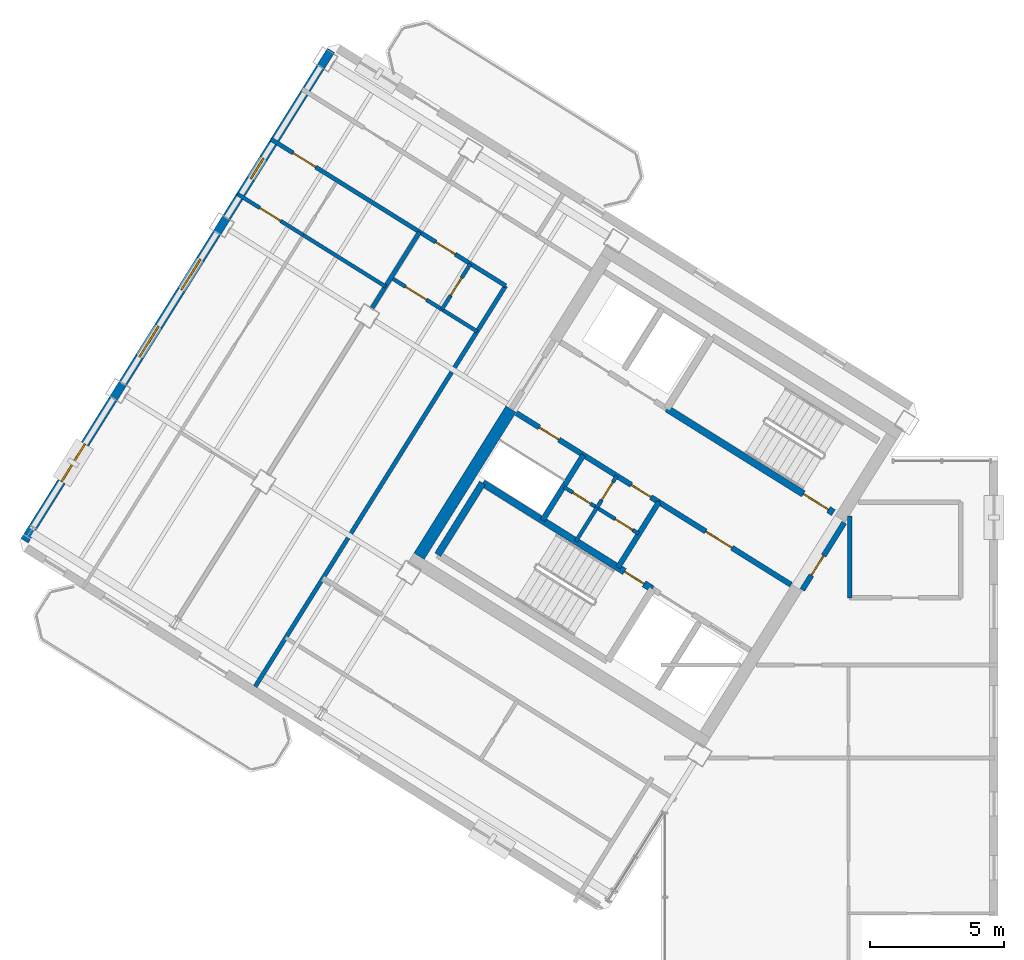
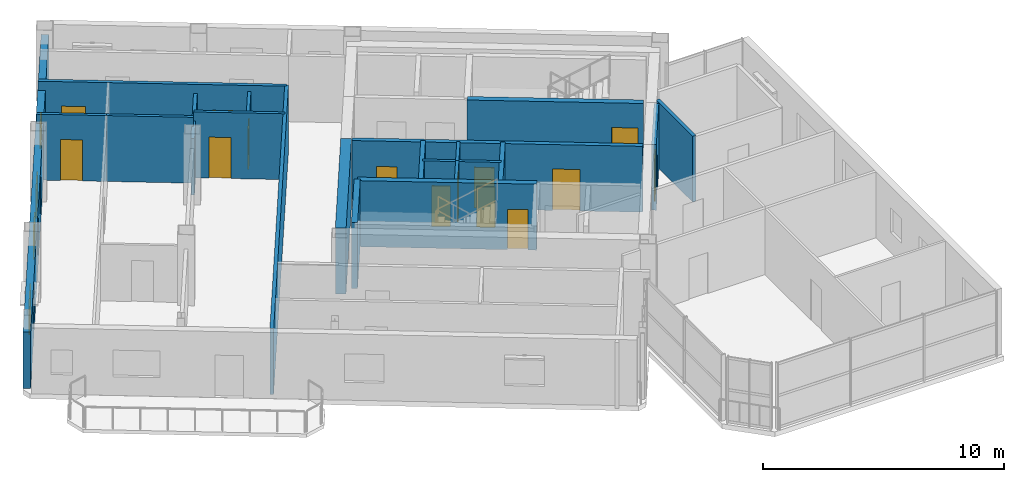
# One storey, part 8 of 12: 21 walls, 14 doors, 4 windows, 18 openings.
"""IFC4 building model written with IfcOpenShell, lengths in metres."""

from ifc_helpers import new_model, si_unit, direction, frame, frame_2d, origin, place, context, subcontext, project, spatial, rectangle, extrude, source, transform, mapped, material, layer, layer_set, type_object, element, fill, save


model = new_model("IFC4")

# Units and contexts
model_context = context("Model", 3, precision=1e-05, world=origin(), true_north=direction((0.0, 1.0)))
body_context = subcontext(model_context, "Body", "Model", "MODEL_VIEW")
ifc_project = project(units=[si_unit("LENGTHUNIT", "METRE"), si_unit("AREAUNIT", "SQUARE_METRE"), si_unit("VOLUMEUNIT", "CUBIC_METRE"), si_unit("PLANEANGLEUNIT", "RADIAN"), si_unit("MASSUNIT", "GRAM", prefix="KILO")], contexts=[model_context])

# Site, building, storey
site_placement = place(None, origin())
site = spatial("IfcSite", under=ifc_project, at=site_placement, CompositionType="ELEMENT")
building_placement = place(site_placement, origin())
building = spatial("IfcBuilding", under=site, at=building_placement, Name="Tlacorven Tower", CompositionType="ELEMENT")
storey_placement = place(building_placement, frame((0.0, 0.0, 288.0)))
storey = spatial("IfcBuildingStorey", under=building, at=storey_placement, Name="L73", CompositionType="ELEMENT", Elevation=288.0)

# Walls
ifc_material_1 = material(Name="Concrete C50/60", Category="concrete")
ifc_layer_1 = layer(ifc_material_1, 0.449951171875)
ifc_layer_set_1 = layer_set([ifc_layer_1], Name="Concrete C50/60")
wall_type_1 = type_object("IfcWallType", Name="WL-COR-450", PredefinedType="SHEAR", material=ifc_layer_set_1)
wall_1_placement = place(storey_placement, frame((26.006591796875, 24.975830078125, 0.0), z_axis=(0.0, 0.0, 1.0), x_axis=(-0.529931155655, -0.848040665456, 0.0)))
element("IfcWall", 1, at=wall_1_placement, inside=storey, type_object=wall_type_1, Name="L73 W core end wall E2.2", PredefinedType="SHEAR", context=body_context, shape_type="SweptSolid", body=[
    extrude(rectangle(XDim=6.47509765625, YDim=0.449951171875, at=frame_2d((3.237548828125, 0.0))), origin(), (0.0, 0.0, 1.0), 3.35009765625),
])
ifc_material_2 = material(Name="Gypsum plasterboard acoustic partition", Category="gypsum")
ifc_layer_2 = layer(ifc_material_2, 0.159912109375)
ifc_layer_set_2 = layer_set([ifc_layer_2], Name="Gypsum plasterboard acoustic partition")
wall_type_2 = type_object("IfcWallType", Name="WL-DEM-160", PredefinedType="PARTITIONING", material=ifc_layer_set_2)
wall_2_placement = place(storey_placement, frame((25.806884765625, 29.58154296875, 0.0), z_axis=(0.0, 0.0, 1.0), x_axis=(-0.529918119251, -0.84804881162, 0.0)))
element("IfcWall", 2, at=wall_2_placement, inside=storey, type_object=wall_type_2, Name="L73 partition 25", PredefinedType="PARTITIONING", context=body_context, shape_type="SweptSolid", body=[
    extrude(rectangle(XDim=17.64990234375, YDim=0.159912109375, at=frame_2d((8.824951171875, 0.0))), origin(), (0.0, 0.0, 1.0), 3.340087890625),
])

# Wall, openings, doors
wall_3_placement = place(storey_placement, frame((25.806884765625, 29.58154296875, 0.0), z_axis=(0.0, 0.0, 1.0), x_axis=(-0.848060702647, 0.529899089097, 0.0)))
wall_3 = element("IfcWall", 3, at=wall_3_placement, inside=storey, type_object=wall_type_2, Name="L73 Wing W Corridor North Wall", PredefinedType="PARTITIONING", context=body_context, shape_type="SweptSolid", body=[
    extrude(rectangle(XDim=10.330078125, YDim=0.159912109375, at=frame_2d((5.1650390625, 0.0))), origin(), (0.0, 0.0, 1.0), 3.340087890625),
])
opening_1_placement = place(wall_3_placement, frame((2.219970703125, 0.0, 0.0)))
opening_1 = element("IfcOpeningElement", 4, at=opening_1_placement, cuts=wall_3, Name="Opening D19", PredefinedType="OPENING", context=body_context, shape_type="SweptSolid", body=[
    extrude(rectangle(XDim=0.860107421875, YDim=2.050048828125, at=frame_2d((0.43017578125, 1.02490234375))), frame((0.0, 0.08984375, 0.0), z_axis=(0.0, -1.0, 0.0), x_axis=(1.0, 0.0, 0.0)), (0.0, 0.0, 1.0), 0.179931640625),
])
opening_2_placement = place(wall_3_placement, frame((8.360107421875, 0.0, 0.0)))
opening_2 = element("IfcOpeningElement", 5, at=opening_2_placement, cuts=wall_3, Name="Opening D11", PredefinedType="OPENING", context=body_context, shape_type="SweptSolid", body=[
    extrude(rectangle(XDim=1.0, YDim=2.10009765625, at=frame_2d((0.5, 1.050048828125))), frame((0.0, 0.08984375, 0.0), z_axis=(0.0, -1.0, 0.0), x_axis=(1.0, 0.0, 0.0)), (0.0, 0.0, 1.0), 0.179931640625),
])
ifc_material_3 = material(Name="Fire-rated steel door assembly", Category="steel")
door_type_1 = type_object("IfcDoorType", Name="DR-RSR-FD60-0860", OperationType="NOTDEFINED", PredefinedType="DOOR", material=ifc_material_3)
shared_shape_1 = source(origin(), body_context, "Body", "SweptSolid", [
    extrude(rectangle(XDim=0.860107421875, YDim=2.050048828125, at=frame_2d((0.43017578125, 1.02490234375))), frame((0.0, 0.02490234375, 0.0), z_axis=(0.0, -1.0, 0.0), x_axis=(1.0, 0.0, 0.0)), (0.0, 0.0, 1.0), 0.050048828125),
])
door_1_placement = place(opening_1_placement, origin())
door_1 = element("IfcDoor", 6, at=door_1_placement, inside=storey, type_object=door_type_1, Name="L73 door 014", OperationType="SINGLE_SWING_LEFT", OverallHeight=2.050048828125, OverallWidth=0.860107421875, PredefinedType="DOOR", context=body_context, shape_type="MappedRepresentation", body=[
    mapped(shared_shape_1, transform((0.0, 0.0, 0.0), scale=1.0)),
])
fill(opening_1, door_1)
door_type_2 = type_object("IfcDoorType", Name="DR-FLT-FD60-1000", OperationType="NOTDEFINED", PredefinedType="DOOR", material=ifc_material_3)
shared_shape_2 = source(origin(), body_context, "Body", "SweptSolid", [
    extrude(rectangle(XDim=1.0, YDim=2.10009765625, at=frame_2d((0.5, 1.050048828125))), frame((0.0, 0.02490234375, 0.0), z_axis=(0.0, -1.0, 0.0), x_axis=(1.0, 0.0, 0.0)), (0.0, 0.0, 1.0), 0.050048828125),
])
door_2_placement = place(opening_2_placement, origin())
door_2 = element("IfcDoor", 7, at=door_2_placement, inside=storey, type_object=door_type_2, Name="L73 door 018", OperationType="SINGLE_SWING_LEFT", OverallHeight=2.10009765625, OverallWidth=1.0, PredefinedType="DOOR", context=body_context, shape_type="MappedRepresentation", body=[
    mapped(shared_shape_2, transform((0.0, 0.0, 0.0), scale=1.0)),
])
fill(opening_2, door_2)

# Walls
wall_4_placement = place(storey_placement, frame((22.5927734375, 31.58984375, 0.0), z_axis=(0.0, 0.0, 1.0), x_axis=(-0.529900320499, -0.848059933221, 0.0)))
element("IfcWall", 8, at=wall_4_placement, inside=storey, type_object=wall_type_2, Name="L73 WN Demising Wall 1", PredefinedType="PARTITIONING", context=body_context, shape_type="SweptSolid", body=[
    extrude(rectangle(XDim=3.337890625, YDim=0.159912109375, at=frame_2d((1.6689453125, 0.0))), origin(), (0.0, 0.0, 1.0), 2.875),
])
wall_5_placement = place(storey_placement, frame((38.64990234375, 17.929931640625, 0.0), z_axis=(0.0, 0.0, 1.0), x_axis=(0.0, 1.0, 0.0)))
element("IfcWall", 9, at=wall_5_placement, inside=storey, type_object=wall_type_2, Name="L73 partition 44", PredefinedType="PARTITIONING", context=body_context, shape_type="SweptSolid", body=[
    extrude(rectangle(XDim=3.045654296875, YDim=0.159912109375, at=frame_2d((1.52294921875, 0.0))), origin(), (0.0, 0.0, 1.0), 3.340087890625),
])

# Wall, openings, windows
ifc_material_4 = material(Name="Precast concrete C45/55", Category="concrete")
ifc_layer_3 = layer(ifc_material_4, 0.320068359375)
ifc_layer_set_3 = layer_set([ifc_layer_3], Name="Precast concrete C45/55")
wall_type_3 = type_object("IfcWallType", Name="WL-EXT-320", PredefinedType="STANDARD", material=ifc_layer_set_3)
wall_6_placement = place(storey_placement, frame((7.842041015625, 20.06103515625, 0.0), z_axis=(0.0, 0.0, 1.0), x_axis=(0.529915577903, 0.84805039962, 0.0)))
wall_6 = element("IfcWall", 10, at=wall_6_placement, inside=storey, type_object=wall_type_3, Name="L73 Masonry-Frame Recessed Facade Wall 3", PredefinedType="STANDARD", context=body_context, shape_type="SweptSolid", body=[
    extrude(rectangle(XDim=21.58740234375, YDim=0.320068359375, at=frame_2d((10.793701171875, 0.0))), origin(), (0.0, 0.0, 1.0), 2.875),
])
opening_3_placement = place(wall_6_placement, frame((2.606201171875, 0.0, 0.89990234375)))
opening_3 = element("IfcOpeningElement", 11, at=opening_3_placement, cuts=wall_6, Name="Opening WN07", PredefinedType="OPENING", context=body_context, shape_type="SweptSolid", body=[
    extrude(rectangle(XDim=1.64990234375, YDim=1.449951171875, at=frame_2d((0.824951171875, 0.72509765625))), frame((0.0, 0.169921875, 0.0), z_axis=(0.0, -1.0, 0.0), x_axis=(1.0, 0.0, 0.0)), (0.0, 0.0, 1.0), 0.340087890625),
])
opening_4_placement = place(wall_6_placement, frame((8.09375, 0.0, 0.89990234375)))
opening_4 = element("IfcOpeningElement", 12, at=opening_4_placement, cuts=wall_6, Name="Opening WN08", PredefinedType="OPENING", context=body_context, shape_type="SweptSolid", body=[
    extrude(rectangle(XDim=1.35009765625, YDim=1.449951171875, at=frame_2d((0.675048828125, 0.72509765625))), frame((0.0, 0.169921875, 0.0), z_axis=(0.0, -1.0, 0.0), x_axis=(1.0, 0.0, 0.0)), (0.0, 0.0, 1.0), 0.340087890625),
])
opening_5_placement = place(wall_6_placement, frame((11.043701171875, 0.0, 0.89990234375)))
opening_5 = element("IfcOpeningElement", 13, at=opening_5_placement, cuts=wall_6, Name="Opening WN08", PredefinedType="OPENING", context=body_context, shape_type="SweptSolid", body=[
    extrude(rectangle(XDim=1.35009765625, YDim=1.449951171875, at=frame_2d((0.675048828125, 0.72509765625))), frame((0.0, 0.169921875, 0.0), z_axis=(0.0, -1.0, 0.0), x_axis=(1.0, 0.0, 0.0)), (0.0, 0.0, 1.0), 0.340087890625),
])
opening_6_placement = place(wall_6_placement, frame((15.938720703125, 0.0, 1.0)))
opening_6 = element("IfcOpeningElement", 14, at=opening_6_placement, cuts=wall_6, Name="Opening WN05", PredefinedType="OPENING", context=body_context, shape_type="SweptSolid", body=[
    extrude(rectangle(XDim=0.89990234375, YDim=1.25, at=frame_2d((0.449951171875, 0.625))), frame((0.0, 0.169921875, 0.0), z_axis=(0.0, -1.0, 0.0), x_axis=(1.0, 0.0, 0.0)), (0.0, 0.0, 1.0), 0.340087890625),
])
ifc_material_5 = material(Name="Dark solar low-E double glazing in anodised aluminium frame", Category="aluminium")
window_type_1 = type_object("IfcWindowType", Name="WN-APT-0900X1350", PartitioningType="SINGLE_PANEL", PredefinedType="WINDOW", material=ifc_material_5)
shared_shape_3 = source(origin(), body_context, "Body", "SweptSolid", [
    extrude(rectangle(XDim=0.89990234375, YDim=1.25, at=frame_2d((0.449951171875, 0.625))), frame((0.0, 0.030029296875, 0.0), z_axis=(0.0, -1.0, 0.0), x_axis=(1.0, 0.0, 0.0)), (0.0, 0.0, 1.0), 0.06005859375),
])
window_1_placement = place(opening_6_placement, origin())
window_1 = element("IfcWindow", 15, at=window_1_placement, inside=storey, type_object=window_type_1, Name="L73 Recessed Masonry-Frame Window L73-03.4", OverallHeight=1.25, OverallWidth=0.89990234375, PartitioningType="SINGLE_PANEL", PredefinedType="WINDOW", context=body_context, shape_type="MappedRepresentation", body=[
    mapped(shared_shape_3, transform((0.0, 0.0, 0.0), scale=1.0)),
])
fill(opening_6, window_1)
window_type_2 = type_object("IfcWindowType", Name="WN-APT-1650X1600", PartitioningType="SINGLE_PANEL", PredefinedType="WINDOW", material=ifc_material_5)
shared_shape_4 = source(origin(), body_context, "Body", "SweptSolid", [
    extrude(rectangle(XDim=1.64990234375, YDim=1.449951171875, at=frame_2d((0.824951171875, 0.72509765625))), frame((0.0, 0.030029296875, 0.0), z_axis=(0.0, -1.0, 0.0), x_axis=(1.0, 0.0, 0.0)), (0.0, 0.0, 1.0), 0.06005859375),
])
window_2_placement = place(opening_3_placement, origin())
window_2 = element("IfcWindow", 16, at=window_2_placement, inside=storey, type_object=window_type_2, Name="L73 Recessed Masonry-Frame Window L73-03.1", OverallHeight=1.449951171875, OverallWidth=1.64990234375, PartitioningType="SINGLE_PANEL", PredefinedType="WINDOW", context=body_context, shape_type="MappedRepresentation", body=[
    mapped(shared_shape_4, transform((0.0, 0.0, 0.0), scale=1.0)),
])
fill(opening_3, window_2)
window_type_3 = type_object("IfcWindowType", Name="WN-APT-1350X1550", PartitioningType="SINGLE_PANEL", PredefinedType="WINDOW", material=ifc_material_5)
shared_shape_5 = source(origin(), body_context, "Body", "SweptSolid", [
    extrude(rectangle(XDim=1.35009765625, YDim=1.449951171875, at=frame_2d((0.675048828125, 0.72509765625))), frame((0.0, 0.030029296875, 0.0), z_axis=(0.0, -1.0, 0.0), x_axis=(1.0, 0.0, 0.0)), (0.0, 0.0, 1.0), 0.06005859375),
])
window_3_placement = place(opening_4_placement, origin())
window_3 = element("IfcWindow", 17, at=window_3_placement, inside=storey, type_object=window_type_3, Name="L73 Recessed Masonry-Frame Window L73-03.2", OverallHeight=1.449951171875, OverallWidth=1.35009765625, PartitioningType="SINGLE_PANEL", PredefinedType="WINDOW", context=body_context, shape_type="MappedRepresentation", body=[
    mapped(shared_shape_5, transform((0.0, 0.0, 0.0), scale=1.0)),
])
fill(opening_4, window_3)
window_4_placement = place(opening_5_placement, origin())
window_4 = element("IfcWindow", 18, at=window_4_placement, inside=storey, type_object=window_type_3, Name="L73 Recessed Masonry-Frame Window L73-03.3", OverallHeight=1.449951171875, OverallWidth=1.35009765625, PartitioningType="SINGLE_PANEL", PredefinedType="WINDOW", context=body_context, shape_type="MappedRepresentation", body=[
    mapped(shared_shape_5, transform((0.0, 0.0, 0.0), scale=1.0)),
])
fill(opening_5, window_4)

# Wall, opening, door
ifc_material_6 = material(Name="Moisture-resistant gypsum plumbing wall", Category="gypsum")
ifc_layer_4 = layer(ifc_material_6, 0.139892578125)
ifc_layer_set_4 = layer_set([ifc_layer_4], Name="Moisture-resistant gypsum plumbing wall")
wall_type_4 = type_object("IfcWallType", Name="WL-PLM-140", PredefinedType="PLUMBINGWALL", material=ifc_layer_set_4)
wall_7_placement = place(storey_placement, frame((29.956298828125, 22.484130859375, 0.0), z_axis=(0.0, 0.0, 1.0), x_axis=(-0.529951914384, -0.848027693204, 0.0)))
wall_7 = element("IfcWall", 19, at=wall_7_placement, inside=storey, type_object=wall_type_4, Name="L73 partition 18", PredefinedType="PLUMBINGWALL", context=body_context, shape_type="SweptSolid", body=[
    extrude(rectangle(XDim=1.39990234375, YDim=0.139892578125, at=frame_2d((0.699951171875, 0.0))), origin(), (0.0, 0.0, 1.0), 3.340087890625),
])
opening_7_placement = place(wall_7_placement, frame((0.280029296875, 0.0, 0.0)))
opening_7 = element("IfcOpeningElement", 20, at=opening_7_placement, cuts=wall_7, Name="Opening D22", PredefinedType="OPENING", context=body_context, shape_type="SweptSolid", body=[
    extrude(rectangle(XDim=0.780029296875, YDim=2.050048828125, at=frame_2d((0.39013671875, 1.02490234375))), frame((0.0, 0.080078125, 0.0), z_axis=(0.0, -1.0, 0.0), x_axis=(1.0, 0.0, 0.0)), (0.0, 0.0, 1.0), 0.159912109375),
])
ifc_material_7 = material(Name="Powder-coated aluminium and timber door", Category="wood")
door_type_3 = type_object("IfcDoorType", Name="DR-INT-WET-0780", OperationType="NOTDEFINED", PredefinedType="DOOR", material=ifc_material_7)
shared_shape_6 = source(origin(), body_context, "Body", "SweptSolid", [
    extrude(rectangle(XDim=0.780029296875, YDim=2.050048828125, at=frame_2d((0.39013671875, 1.02490234375))), frame((0.0, 0.02490234375, 0.0), z_axis=(0.0, -1.0, 0.0), x_axis=(1.0, 0.0, 0.0)), (0.0, 0.0, 1.0), 0.050048828125),
])
door_3_placement = place(opening_7_placement, origin())
door_3 = element("IfcDoor", 21, at=door_3_placement, inside=storey, type_object=door_type_3, Name="L73 door 010", OperationType="SINGLE_SWING_RIGHT", OverallHeight=2.050048828125, OverallWidth=0.780029296875, PredefinedType="DOOR", context=body_context, shape_type="MappedRepresentation", body=[
    mapped(shared_shape_6, transform((0.0, 0.0, 0.0), scale=1.0)),
])
fill(opening_7, door_3)

# Wall
wall_8_placement = place(storey_placement, frame((29.21435546875, 21.296875, 0.0), z_axis=(0.0, 0.0, 1.0), x_axis=(-0.529865479138, -0.848081702443, 0.0)))
element("IfcWall", 22, at=wall_8_placement, inside=storey, type_object=wall_type_4, Name="L73 partition 19", PredefinedType="PLUMBINGWALL", context=body_context, shape_type="SweptSolid", body=[
    extrude(rectangle(XDim=1.47998046875, YDim=0.139892578125, at=frame_2d((0.739990234375, 0.0))), origin(), (0.0, 0.0, 1.0), 3.340087890625),
])

# Wall, openings, doors
wall_9_placement = place(storey_placement, frame((30.766357421875, 20.3271484375, 0.0), z_axis=(0.0, 0.0, 1.0), x_axis=(-0.848052663127, 0.529911955482, 0.0)))
wall_9 = element("IfcWall", 23, at=wall_9_placement, inside=storey, type_object=wall_type_4, Name="L73 partition 20", PredefinedType="PLUMBINGWALL", context=body_context, shape_type="SweptSolid", body=[
    extrude(rectangle(XDim=3.27978515625, YDim=0.139892578125, at=frame_2d((1.639892578125, 0.0))), origin(), (0.0, 0.0, 1.0), 3.340087890625),
])
opening_8_placement = place(wall_9_placement, frame((0.25, 0.0, 0.0)))
opening_8 = element("IfcOpeningElement", 24, at=opening_8_placement, cuts=wall_9, Name="Opening D22", PredefinedType="OPENING", context=body_context, shape_type="SweptSolid", body=[
    extrude(rectangle(XDim=0.780029296875, YDim=2.050048828125, at=frame_2d((0.39013671875, 1.02490234375))), frame((0.0, 0.080078125, 0.0), z_axis=(0.0, -1.0, 0.0), x_axis=(1.0, 0.0, 0.0)), (0.0, 0.0, 1.0), 0.159912109375),
])
opening_9_placement = place(wall_9_placement, frame((2.110107421875, 0.0, 0.0)))
opening_9 = element("IfcOpeningElement", 25, at=opening_9_placement, cuts=wall_9, Name="Opening D22", PredefinedType="OPENING", context=body_context, shape_type="SweptSolid", body=[
    extrude(rectangle(XDim=0.780029296875, YDim=2.050048828125, at=frame_2d((0.39013671875, 1.02490234375))), frame((0.0, 0.080078125, 0.0), z_axis=(0.0, -1.0, 0.0), x_axis=(1.0, 0.0, 0.0)), (0.0, 0.0, 1.0), 0.159912109375),
])
door_4_placement = place(opening_8_placement, origin())
door_4 = element("IfcDoor", 26, at=door_4_placement, inside=storey, type_object=door_type_3, Name="L73 door 011", OperationType="SINGLE_SWING_LEFT", OverallHeight=2.050048828125, OverallWidth=0.780029296875, PredefinedType="DOOR", context=body_context, shape_type="MappedRepresentation", body=[
    mapped(shared_shape_6, transform((0.0, 0.0, 0.0), scale=1.0)),
])
fill(opening_8, door_4)
door_5_placement = place(opening_9_placement, origin())
door_5 = element("IfcDoor", 27, at=door_5_placement, inside=storey, type_object=door_type_3, Name="L73 door 012", OperationType="SINGLE_SWING_RIGHT", OverallHeight=2.050048828125, OverallWidth=0.780029296875, PredefinedType="DOOR", context=body_context, shape_type="MappedRepresentation", body=[
    mapped(shared_shape_6, transform((0.0, 0.0, 0.0), scale=1.0)),
])
fill(opening_9, door_5)

# Wall, opening, door
wall_10_placement = place(storey_placement, frame((24.74169921875, 27.876953125, 0.0), z_axis=(0.0, 0.0, 1.0), x_axis=(-0.848059820872, 0.529900500304, 0.0)))
wall_10 = element("IfcWall", 28, at=wall_10_placement, inside=storey, type_object=wall_type_4, Name="L73 partition 29", PredefinedType="PLUMBINGWALL", context=body_context, shape_type="SweptSolid", body=[
    extrude(rectangle(XDim=3.7900390625, YDim=0.139892578125, at=frame_2d((1.89501953125, 0.0))), origin(), (0.0, 0.0, 1.0), 3.340087890625),
])
opening_10_placement = place(wall_10_placement, frame((2.22998046875, 0.0, 0.0)))
opening_10 = element("IfcOpeningElement", 29, at=opening_10_placement, cuts=wall_10, Name="Opening D12", PredefinedType="OPENING", context=body_context, shape_type="SweptSolid", body=[
    extrude(rectangle(XDim=0.919921875, YDim=2.080078125, at=frame_2d((0.4599609375, 1.0400390625))), frame((0.0, 0.080078125, 0.0), z_axis=(0.0, -1.0, 0.0), x_axis=(1.0, 0.0, 0.0)), (0.0, 0.0, 1.0), 0.159912109375),
])
door_type_4 = type_object("IfcDoorType", Name="DR-INT-ROOM-0920", OperationType="NOTDEFINED", PredefinedType="DOOR", material=ifc_material_7)
shared_shape_7 = source(origin(), body_context, "Body", "SweptSolid", [
    extrude(rectangle(XDim=0.919921875, YDim=2.080078125, at=frame_2d((0.4599609375, 1.0400390625))), frame((0.0, 0.02490234375, 0.0), z_axis=(0.0, -1.0, 0.0), x_axis=(1.0, 0.0, 0.0)), (0.0, 0.0, 1.0), 0.050048828125),
])
door_6_placement = place(opening_10_placement, origin())
door_6 = element("IfcDoor", 30, at=door_6_placement, inside=storey, type_object=door_type_4, Name="L73 door 015", OperationType="SINGLE_SWING_RIGHT", OverallHeight=2.080078125, OverallWidth=0.919921875, PredefinedType="DOOR", context=body_context, shape_type="MappedRepresentation", body=[
    mapped(shared_shape_7, transform((0.0, 0.0, 0.0), scale=1.0)),
])
fill(opening_10, door_6)

wall_11_placement = place(storey_placement, frame((24.492431640625, 30.40283203125, 0.0), z_axis=(0.0, 0.0, 1.0), x_axis=(-0.529933431478, -0.848039243315, 0.0)))
wall_11 = element("IfcWall", 31, at=wall_11_placement, inside=storey, type_object=wall_type_4, Name="L73 partition 30", PredefinedType="PLUMBINGWALL", context=body_context, shape_type="SweptSolid", body=[
    extrude(rectangle(XDim=2.010009765625, YDim=0.139892578125, at=frame_2d((1.0048828125, 0.0))), origin(), (0.0, 0.0, 1.0), 3.02490234375),
])
opening_11_placement = place(wall_11_placement, frame((0.614990234375, 0.0, 0.0)))
opening_11 = element("IfcOpeningElement", 32, at=opening_11_placement, cuts=wall_11, Name="Opening D22", PredefinedType="OPENING", context=body_context, shape_type="SweptSolid", body=[
    extrude(rectangle(XDim=0.780029296875, YDim=2.050048828125, at=frame_2d((0.39013671875, 1.02490234375))), frame((0.0, 0.080078125, 0.0), z_axis=(0.0, -1.0, 0.0), x_axis=(1.0, 0.0, 0.0)), (0.0, 0.0, 1.0), 0.159912109375),
])
door_7_placement = place(opening_11_placement, origin())
door_7 = element("IfcDoor", 33, at=door_7_placement, inside=storey, type_object=door_type_3, Name="L73 door 016", OperationType="SINGLE_SWING_LEFT", OverallHeight=2.050048828125, OverallWidth=0.780029296875, PredefinedType="DOOR", context=body_context, shape_type="MappedRepresentation", body=[
    mapped(shared_shape_6, transform((0.0, 0.0, 0.0), scale=1.0)),
])
fill(opening_11, door_7)

wall_12_placement = place(storey_placement, frame((18.2509765625, 31.472900390625, 0.0), z_axis=(0.0, 0.0, 1.0), x_axis=(-0.848059786386, 0.529900555496, 0.0)))
wall_12 = element("IfcWall", 34, at=wall_12_placement, inside=storey, type_object=wall_type_4, Name="L73 partition 33", PredefinedType="PLUMBINGWALL", context=body_context, shape_type="SweptSolid", body=[
    extrude(rectangle(XDim=2.89990234375, YDim=0.139892578125, at=frame_2d((1.449951171875, 0.0))), origin(), (0.0, 0.0, 1.0), 3.340087890625),
])
opening_12_placement = place(wall_12_placement, frame((0.989990234375, 0.0, 0.0)))
opening_12 = element("IfcOpeningElement", 35, at=opening_12_placement, cuts=wall_12, Name="Opening D12", PredefinedType="OPENING", context=body_context, shape_type="SweptSolid", body=[
    extrude(rectangle(XDim=0.919921875, YDim=2.080078125, at=frame_2d((0.4599609375, 1.0400390625))), frame((0.0, 0.080078125, 0.0), z_axis=(0.0, -1.0, 0.0), x_axis=(1.0, 0.0, 0.0)), (0.0, 0.0, 1.0), 0.159912109375),
])
door_8_placement = place(opening_12_placement, origin())
door_8 = element("IfcDoor", 36, at=door_8_placement, inside=storey, type_object=door_type_4, Name="L73 door 019", OperationType="SINGLE_SWING_RIGHT", OverallHeight=2.080078125, OverallWidth=0.919921875, PredefinedType="DOOR", context=body_context, shape_type="MappedRepresentation", body=[
    mapped(shared_shape_7, transform((0.0, 0.0, 0.0), scale=1.0)),
])
fill(opening_12, door_8)

# Wall
wall_13_placement = place(storey_placement, frame((21.32080078125, 29.554443359375, 0.0), z_axis=(0.0, 0.0, 1.0), x_axis=(-0.848021036626, 0.529962566074, 0.0)))
element("IfcWall", 37, at=wall_13_placement, inside=storey, type_object=wall_type_4, Name="L73 partition 34", PredefinedType="PLUMBINGWALL", context=body_context, shape_type="SweptSolid", body=[
    extrude(rectangle(XDim=3.619873046875, YDim=0.139892578125, at=frame_2d((1.81005859375, 0.0))), origin(), (0.0, 0.0, 1.0), 3.340087890625),
])

# Wall, opening, door
ifc_material_8 = material(Name="Concrete C40/50", Category="concrete")
ifc_layer_5 = layer(ifc_material_8, 0.199951171875)
ifc_layer_set_5 = layer_set([ifc_layer_5], Name="Concrete C40/50")
wall_type_5 = type_object("IfcWallType", Name="WL-SHF-200", PredefinedType="STANDARD", material=ifc_layer_set_5)
wall_14_placement = place(storey_placement, frame((36.459228515625, 18.420654296875, 0.0), z_axis=(0.0, 0.0, 1.0), x_axis=(-0.848059591691, 0.529900867089, 0.0)))
wall_14 = element("IfcWall", 38, at=wall_14_placement, inside=storey, type_object=wall_type_5, Name="L73 Core W Smoke Lobby Wall", PredefinedType="STANDARD", context=body_context, shape_type="SweptSolid", body=[
    extrude(rectangle(XDim=5.818115234375, YDim=0.199951171875, at=frame_2d((2.9091796875, 0.0))), origin(), (0.0, 0.0, 1.0), 3.340087890625),
])
opening_13_placement = place(wall_14_placement, frame((2.597900390625, 0.0, 0.0)))
opening_13 = element("IfcOpeningElement", 39, at=opening_13_placement, cuts=wall_14, Name="Opening D09", PredefinedType="OPENING", context=body_context, shape_type="SweptSolid", body=[
    extrude(rectangle(XDim=1.14990234375, YDim=2.10009765625, at=frame_2d((0.574951171875, 1.050048828125))), frame((0.0, 0.10986328125, 0.0), z_axis=(0.0, -1.0, 0.0), x_axis=(1.0, 0.0, 0.0)), (0.0, 0.0, 1.0), 0.219970703125),
])
door_type_5 = type_object("IfcDoorType", Name="DR-FFL-FD60-1150", OperationType="NOTDEFINED", PredefinedType="DOOR", material=ifc_material_3)
shared_shape_8 = source(origin(), body_context, "Body", "SweptSolid", [
    extrude(rectangle(XDim=1.14990234375, YDim=2.10009765625, at=frame_2d((0.574951171875, 1.050048828125))), frame((0.0, 0.02490234375, 0.0), z_axis=(0.0, -1.0, 0.0), x_axis=(1.0, 0.0, 0.0)), (0.0, 0.0, 1.0), 0.050048828125),
])
door_9_placement = place(opening_13_placement, origin())
door_9 = element("IfcDoor", 40, at=door_9_placement, inside=storey, type_object=door_type_5, Name="L73 Firefighting Lobby W Fire Door", OperationType="SINGLE_SWING_LEFT", OverallHeight=2.10009765625, OverallWidth=1.14990234375, PredefinedType="DOOR", context=body_context, shape_type="MappedRepresentation", body=[
    mapped(shared_shape_8, transform((0.0, 0.0, 0.0), scale=1.0)),
])
fill(opening_13, door_9)

# Walls
for number, where, z_axis, x_axis, name in (
    (41, (31.525146484375, 21.503662109375, 0.0), (0.0, 0.0, 1.0), (-0.529907497854, -0.848055448493, 0.0), "L73 partition 15"),
    (42, (28.709716796875, 23.26318359375, 0.0), (0.0, 0.0, 1.0), (-0.529907497854, -0.848055448493, 0.0), "L73 partition 16"),
):
    element("IfcWall", number, at=place(storey_placement, frame(where, z_axis=z_axis, x_axis=x_axis)), inside=storey, type_object=wall_type_5, Name=name, PredefinedType="STANDARD", context=body_context, shape_type="SweptSolid", body=[
        extrude(rectangle(XDim=2.8798828125, YDim=0.199951171875, at=frame_2d((1.43994140625, 0.0))), origin(), (0.0, 0.0, 1.0), 3.340087890625),
    ])

# Wall, openings, doors
wall_15_placement = place(storey_placement, frame((31.525146484375, 21.503662109375, 0.0), z_axis=(0.0, 0.0, 1.0), x_axis=(-0.848042066329, 0.529928913853, 0.0)))
wall_15 = element("IfcWall", 43, at=wall_15_placement, inside=storey, type_object=wall_type_5, Name="L73 Core W North Service Wall", PredefinedType="STANDARD", context=body_context, shape_type="SweptSolid", body=[
    extrude(rectangle(XDim=6.267822265625, YDim=0.199951171875, at=frame_2d((3.1337890625, 0.0))), origin(), (0.0, 0.0, 1.0), 3.340087890625),
])
opening_14_placement = place(wall_15_placement, frame((4.39990234375, 0.0, 0.0)))
opening_14 = element("IfcOpeningElement", 44, at=opening_14_placement, cuts=wall_15, Name="Opening D19", PredefinedType="OPENING", context=body_context, shape_type="SweptSolid", body=[
    extrude(rectangle(XDim=0.860107421875, YDim=2.050048828125, at=frame_2d((0.43017578125, 1.02490234375))), frame((0.0, 0.10986328125, 0.0), z_axis=(0.0, -1.0, 0.0), x_axis=(1.0, 0.0, 0.0)), (0.0, 0.0, 1.0), 0.219970703125),
])
opening_15_placement = place(wall_15_placement, frame((0.35009765625, 0.0, 0.0)))
opening_15 = element("IfcOpeningElement", 45, at=opening_15_placement, cuts=wall_15, Name="Opening D19", PredefinedType="OPENING", context=body_context, shape_type="SweptSolid", body=[
    extrude(rectangle(XDim=0.860107421875, YDim=2.050048828125, at=frame_2d((0.43017578125, 1.02490234375))), frame((0.0, 0.10986328125, 0.0), z_axis=(0.0, -1.0, 0.0), x_axis=(1.0, 0.0, 0.0)), (0.0, 0.0, 1.0), 0.219970703125),
])
door_10_placement = place(opening_14_placement, frame((0.860107421875, 0.0, 0.0), z_axis=(0.0, 0.0, 1.0), x_axis=(-1.0, 0.0, 0.0)))
door_10 = element("IfcDoor", 46, at=door_10_placement, inside=storey, type_object=door_type_1, Name="L73 Electrical Riser Access Door W", OperationType="SINGLE_SWING_RIGHT", OverallHeight=2.050048828125, OverallWidth=0.860107421875, PredefinedType="DOOR", context=body_context, shape_type="MappedRepresentation", body=[
    mapped(shared_shape_1, transform((0.0, 0.0, 0.0), scale=1.0)),
])
fill(opening_14, door_10)
door_11_placement = place(opening_15_placement, frame((0.860107421875, 0.0, 0.0), z_axis=(0.0, 0.0, 1.0), x_axis=(-1.0, 0.0, 0.0)))
door_11 = element("IfcDoor", 47, at=door_11_placement, inside=storey, type_object=door_type_1, Name="L73 Cleaning Room Access Door W", OperationType="SINGLE_SWING_LEFT", OverallHeight=2.050048828125, OverallWidth=0.860107421875, PredefinedType="DOOR", context=body_context, shape_type="MappedRepresentation", body=[
    mapped(shared_shape_1, transform((0.0, 0.0, 0.0), scale=1.0)),
])
fill(opening_15, door_11)

# Wall, opening, door
wall_16_placement = place(storey_placement, frame((38.451416015625, 20.737060546875, 0.0), z_axis=(0.0, 0.0, 1.0), x_axis=(-0.529924799939, -0.848044637038, 0.0)))
wall_16 = element("IfcWall", 48, at=wall_16_placement, inside=storey, type_object=wall_type_5, Name="L73 partition 41", PredefinedType="STANDARD", context=body_context, shape_type="SweptSolid", body=[
    extrude(rectangle(XDim=2.9599609375, YDim=0.199951171875, at=frame_2d((1.47998046875, 0.0))), origin(), (0.0, 0.0, 1.0), 3.340087890625),
])
opening_16_placement = place(wall_16_placement, frame((1.4599609375, 0.0, 0.0)))
opening_16 = element("IfcOpeningElement", 49, at=opening_16_placement, cuts=wall_16, Name="Opening D19", PredefinedType="OPENING", context=body_context, shape_type="SweptSolid", body=[
    extrude(rectangle(XDim=0.860107421875, YDim=2.050048828125, at=frame_2d((0.43017578125, 1.02490234375))), frame((0.0, 0.10986328125, 0.0), z_axis=(0.0, -1.0, 0.0), x_axis=(1.0, 0.0, 0.0)), (0.0, 0.0, 1.0), 0.219970703125),
])
door_12_placement = place(opening_16_placement, frame((0.860107421875, 0.0, 0.0), z_axis=(0.0, 0.0, 1.0), x_axis=(-1.0, 0.0, 0.0)))
door_12 = element("IfcDoor", 50, at=door_12_placement, inside=storey, type_object=door_type_1, Name="L73 door 029", OperationType="SINGLE_SWING_LEFT", OverallHeight=2.050048828125, OverallWidth=0.860107421875, PredefinedType="DOOR", context=body_context, shape_type="MappedRepresentation", body=[
    mapped(shared_shape_1, transform((0.0, 0.0, 0.0), scale=1.0)),
])
fill(opening_16, door_12)

ifc_layer_6 = layer(ifc_material_1, 0.260009765625)
ifc_layer_set_6 = layer_set([ifc_layer_6], Name="Concrete C50/60")
wall_type_6 = type_object("IfcWallType", Name="WL-STW-260", PredefinedType="SHEAR", material=ifc_layer_set_6)
wall_17_placement = place(storey_placement, frame((31.279541015625, 18.26123046875, 0.0), z_axis=(0.0, 0.0, 1.0), x_axis=(-0.848051618787, 0.529913626805, 0.0)))
wall_17 = element("IfcWall", 51, at=wall_17_placement, inside=storey, type_object=wall_type_6, Name="L73 Stair W1 Lobby Shear Wall", PredefinedType="SHEAR", context=body_context, shape_type="SweptSolid", body=[
    extrude(rectangle(XDim=7.4599609375, YDim=0.260009765625, at=frame_2d((3.72998046875, 0.0))), origin(), (0.0, 0.0, 1.0), 3.35009765625),
])
opening_17_placement = place(wall_17_placement, frame((0.360107421875, 0.0, 0.0)))
opening_17 = element("IfcOpeningElement", 52, at=opening_17_placement, cuts=wall_17, Name="Opening D19", PredefinedType="OPENING", context=body_context, shape_type="SweptSolid", body=[
    extrude(rectangle(XDim=0.860107421875, YDim=2.050048828125, at=frame_2d((0.43017578125, 1.02490234375))), frame((0.0, 0.14013671875, 0.0), z_axis=(0.0, -1.0, 0.0), x_axis=(1.0, 0.0, 0.0)), (0.0, 0.0, 1.0), 0.280029296875),
])
door_13_placement = place(opening_17_placement, frame((0.860107421875, 0.0, 0.0), z_axis=(0.0, 0.0, 1.0), x_axis=(-1.0, 0.0, 0.0)))
door_13 = element("IfcDoor", 53, at=door_13_placement, inside=storey, type_object=door_type_1, Name="L73 Exit Stair W1 Fire Door", OperationType="SINGLE_SWING_LEFT", OverallHeight=2.050048828125, OverallWidth=0.860107421875, PredefinedType="DOOR", context=body_context, shape_type="MappedRepresentation", body=[
    mapped(shared_shape_1, transform((0.0, 0.0, 0.0), scale=1.0)),
])
fill(opening_17, door_13)

# Wall
wall_18_placement = place(storey_placement, frame((24.944580078125, 22.2197265625, 0.0), z_axis=(0.0, 0.0, 1.0), x_axis=(-0.529908658664, -0.84805472316, 0.0)))
element("IfcWall", 54, at=wall_18_placement, inside=storey, type_object=wall_type_6, Name="L73 Stair W1 East Shear Wall", PredefinedType="SHEAR", context=body_context, shape_type="SweptSolid", body=[
    extrude(rectangle(XDim=3.16015625, YDim=0.260009765625, at=frame_2d((1.580078125, 0.0))), origin(), (0.0, 0.0, 1.0), 3.35009765625),
])

# Wall, opening, door
wall_19_placement = place(storey_placement, frame((38.04638671875, 21.10791015625, 0.0), z_axis=(0.0, 0.0, 1.0), x_axis=(-0.848054434086, 0.529909121291, 0.0)))
wall_19 = element("IfcWall", 55, at=wall_19_placement, inside=storey, type_object=wall_type_6, Name="L73 Stair W2 Lobby Shear Wall", PredefinedType="SHEAR", context=body_context, shape_type="SweptSolid", body=[
    extrude(rectangle(XDim=7.330078125, YDim=0.260009765625, at=frame_2d((3.6650390625, 0.0))), origin(), (0.0, 0.0, 1.0), 3.35009765625),
])
opening_18_placement = place(wall_19_placement, frame((0.219970703125, 0.0, 0.0)))
opening_18 = element("IfcOpeningElement", 56, at=opening_18_placement, cuts=wall_19, Name="Opening D07", PredefinedType="OPENING", context=body_context, shape_type="SweptSolid", body=[
    extrude(rectangle(XDim=1.10009765625, YDim=2.10009765625, at=frame_2d((0.550048828125, 1.050048828125))), frame((0.0, 0.14013671875, 0.0), z_axis=(0.0, -1.0, 0.0), x_axis=(1.0, 0.0, 0.0)), (0.0, 0.0, 1.0), 0.280029296875),
])
door_type_6 = type_object("IfcDoorType", Name="DR-STR-FD90-1100", OperationType="NOTDEFINED", PredefinedType="DOOR", material=ifc_material_3)
shared_shape_9 = source(origin(), body_context, "Body", "SweptSolid", [
    extrude(rectangle(XDim=1.10009765625, YDim=2.10009765625, at=frame_2d((0.550048828125, 1.050048828125))), frame((0.0, 0.02490234375, 0.0), z_axis=(0.0, -1.0, 0.0), x_axis=(1.0, 0.0, 0.0)), (0.0, 0.0, 1.0), 0.050048828125),
])
door_14_placement = place(opening_18_placement, origin())
door_14 = element("IfcDoor", 57, at=door_14_placement, inside=storey, type_object=door_type_6, Name="L73 Exit Stair W2 Fire Door", OperationType="SINGLE_SWING_RIGHT", OverallHeight=2.10009765625, OverallWidth=1.10009765625, PredefinedType="DOOR", context=body_context, shape_type="MappedRepresentation", body=[
    mapped(shared_shape_9, transform((0.0, 0.0, 0.0), scale=1.0)),
])
fill(opening_18, door_14)

save(model, "model.ifc")
